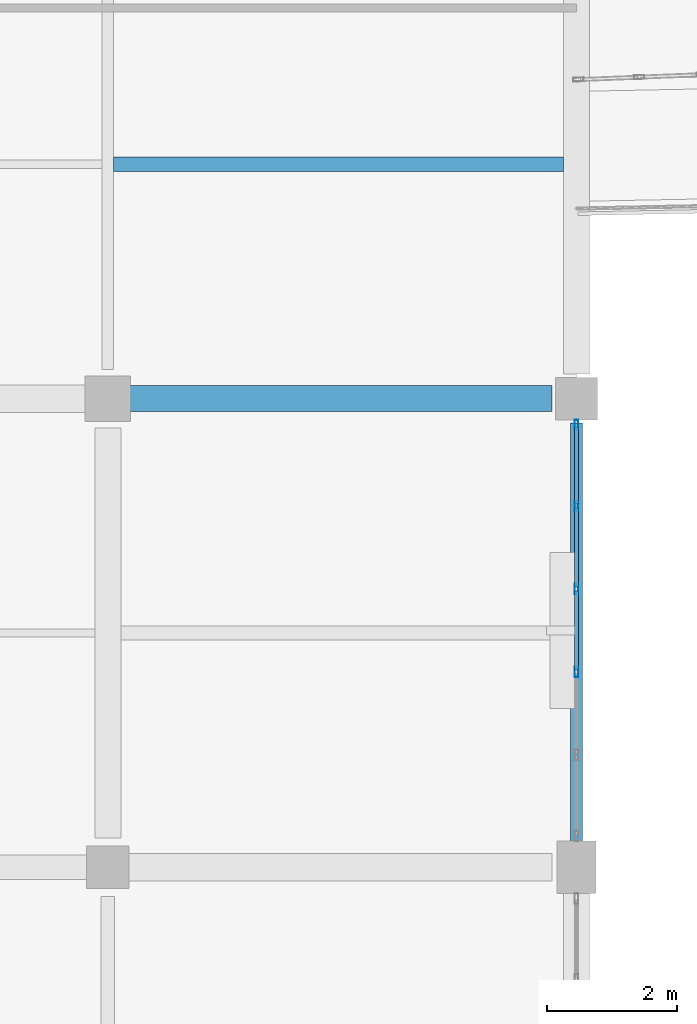
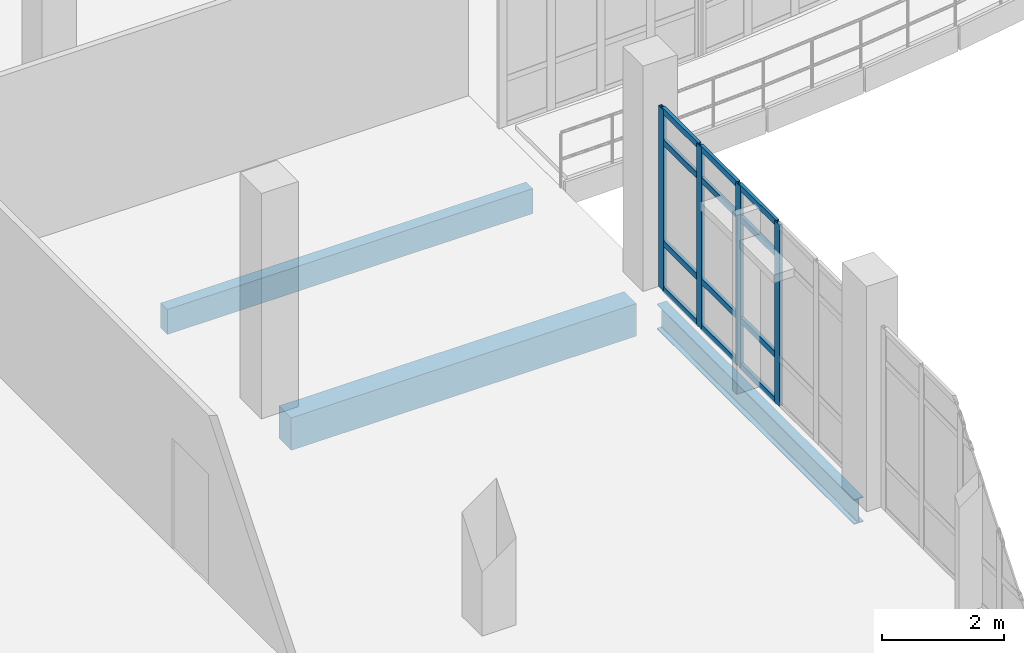
# One storey, part 29 of 124: 16 members, 3 beams, 1 element without a shape of its own.
"""IFC4 building model written with IfcOpenShell, lengths in metres."""

import ifcopenshell
import ifcopenshell.guid

model = None  # the IFC model being written
_history = None  # IfcOwnerHistory: only IFC2X3 demands one
_inside = {}  # id of a spatial element -> (the spatial element, [elements in it])
_under = {}  # id of a project, library or spatial element -> (it, [spatial elements below it])
_declared = {}  # id of a project -> (the project, [libraries it declares])
_typed = {}  # id of a type object -> (the type object, [elements of that type])
_made_of = {}  # id of a material, layer set ... -> (it, [elements and type objects made of it])


def new_model(schema):
    """Start an empty IFC model of exactly this schema.

    Asked for "IFC4X3", IfcOpenShell would pick the latest addendum, in which some entities
    have other attributes; the version numbers below select the first issue.
    IFC2X3 requires an IfcOwnerHistory on every rooted entity: one is made here for all.
    """
    global model, _history
    if schema == "IFC4X3":
        model = ifcopenshell.file(schema_version=(4, 3, 0, 0))
    else:
        model = ifcopenshell.file(schema=schema)
    _inside.clear()
    _under.clear()
    _declared.clear()
    _typed.clear()
    _made_of.clear()
    _history = None
    if model.schema == "IFC2X3":
        org = make("IfcOrganization", Name="unknown")
        user = make(
            "IfcPersonAndOrganization",
            ThePerson=make("IfcPerson", FamilyName="unknown"),
            TheOrganization=org,
        )
        app = make(
            "IfcApplication",
            ApplicationDeveloper=org,
            Version="unknown",
            ApplicationFullName="unknown",
            ApplicationIdentifier="unknown",
        )
        _history = make(
            "IfcOwnerHistory",
            OwningUser=user,
            OwningApplication=app,
            ChangeAction="ADDED",
            CreationDate=0,
        )
    return model


def make(cls, **values):
    """One entity of the class cls with the attributes given. An attribute that is None is left unset."""
    return model.create_entity(
        cls, **{name: value for name, value in values.items() if value is not None}
    )


def rooted(cls, **values):
    """An entity with a GlobalId (a new one), such as an element, a storey or a relation."""
    return make(cls, GlobalId=ifcopenshell.guid.new(), OwnerHistory=_history, **values)


def si_unit(unit_type, name, prefix=None):
    """IfcSIUnit, for example si_unit("LENGTHUNIT", "METRE", prefix="MILLI")."""
    return make("IfcSIUnit", UnitType=unit_type, Prefix=prefix, Name=name)


def assignment(units):
    """IfcUnitAssignment: the units of a project."""
    return None if units is None else make("IfcUnitAssignment", Units=units)


def point(xyz):
    """IfcCartesianPoint."""
    return None if xyz is None else make("IfcCartesianPoint", Coordinates=xyz)


def direction(xyz):
    """IfcDirection."""
    return None if xyz is None else make("IfcDirection", DirectionRatios=xyz)


def frame(location, z_axis=None, x_axis=None):
    """IfcAxis2Placement3D, a coordinate frame: its origin and axes. An axis left out is left unset."""
    return make(
        "IfcAxis2Placement3D",
        Location=point(location),
        Axis=direction(z_axis),
        RefDirection=direction(x_axis),
    )


def frame_2d(location, x_axis=None):
    """IfcAxis2Placement2D, a coordinate frame in the plane: its origin and x axis."""
    return make(
        "IfcAxis2Placement2D", Location=point(location), RefDirection=direction(x_axis)
    )


def origin():
    """The frame at (0, 0, 0) with its axes left unset."""
    return frame((0.0, 0.0, 0.0))


def origin_2d():
    """The frame at (0, 0) in the plane with its x axis left unset."""
    return frame_2d((0.0, 0.0))


def place(relative_to, where):
    """IfcLocalPlacement: puts the frame where relative to a parent placement (None: the world)."""
    return make(
        "IfcLocalPlacement", PlacementRelTo=relative_to, RelativePlacement=where
    )


def context(
    kind, dimensions, precision=None, world=None, true_north=None, identifier=None
):
    """IfcGeometricRepresentationContext, for example the 3D "Model" context."""
    return make(
        "IfcGeometricRepresentationContext",
        ContextIdentifier=identifier,
        ContextType=kind,
        CoordinateSpaceDimension=dimensions,
        Precision=precision,
        WorldCoordinateSystem=world,
        TrueNorth=true_north,
    )


def subcontext(parent, identifier, kind, view, scale=None):
    """IfcGeometricRepresentationSubContext, for example "Body" below "Model"."""
    return make(
        "IfcGeometricRepresentationSubContext",
        ContextIdentifier=identifier,
        ContextType=kind,
        ParentContext=parent,
        TargetScale=scale,
        TargetView=view,
    )


def project(units=None, contexts=None):
    """IfcProject with its units and contexts."""
    return rooted(
        "IfcProject",
        Name="project",
        RepresentationContexts=contexts,
        UnitsInContext=assignment(units),
    )


def spatial(cls, under=None, at=None, **own):
    """A site, building, storey or space (cls), placed at a placement, below another one or the project."""
    s = rooted(cls, ObjectPlacement=at, **own)
    if under is not None:
        _under.setdefault(under.id(), (under, []))[1].append(s)
    return s


def profile(cls, at=None, kind="AREA", **sizes):
    """A parametric profile (cls). Its sizes go by their IFC names, for example OverallWidth=200.0."""
    return make(cls, ProfileType=kind, Position=at, **sizes)


def rectangle(**sizes):
    """IfcRectangleProfileDef."""
    return profile("IfcRectangleProfileDef", **sizes)


def hollow_rectangle(**sizes):
    """IfcRectangleHollowProfileDef."""
    return profile("IfcRectangleHollowProfileDef", **sizes)


def i_section(**sizes):
    """IfcIShapeProfileDef."""
    return profile("IfcIShapeProfileDef", **sizes)


def extrude(swept, where, along, depth):
    """IfcExtrudedAreaSolid: the profile swept, set in the frame where, extruded along a direction by depth."""
    return make(
        "IfcExtrudedAreaSolid",
        SweptArea=swept,
        Position=where,
        ExtrudedDirection=direction(along),
        Depth=depth,
    )


def shape(context_of_items, identifier, shape_type, items):
    """IfcShapeRepresentation: the items that make up one representation, for example the "Body"."""
    return make(
        "IfcShapeRepresentation",
        ContextOfItems=context_of_items,
        RepresentationIdentifier=identifier,
        RepresentationType=shape_type,
        Items=items,
    )


def material(Name=None, Category=None):
    """IfcMaterial."""
    return make("IfcMaterial", Name=Name, Category=Category)


def material_profile(
    of_material, cross_section, Name=None, Category=None, Priority=None
):
    """IfcMaterialProfile: a cross section and its material."""
    return make(
        "IfcMaterialProfile",
        Name=Name,
        Material=of_material,
        Profile=cross_section,
        Priority=Priority,
        Category=Category,
    )


def profile_set(profiles, Name=None, composite=None):
    """IfcMaterialProfileSet."""
    return make(
        "IfcMaterialProfileSet",
        Name=Name,
        MaterialProfiles=profiles,
        CompositeProfile=composite,
    )


def made_of(thing, what):
    """Note that an element or type object is made of a material, layer set ...; save() writes the relation."""
    if what is not None:
        _made_of.setdefault(what.id(), (what, []))[1].append(thing)
    return thing


def type_object(cls, material=None, **own):
    """A type object (cls), such as IfcWallType, which elements share."""
    return made_of(rooted(cls, **own), material)


def element(
    cls,
    number,
    at=None,
    inside=None,
    cuts=None,
    type_object=None,
    material=None,
    context=None,
    identifier="Body",
    shape_type=None,
    held_by="IfcProductDefinitionShape",
    body=None,
    shapes=None,
    **own,
):
    """One element of the class cls, such as IfcWall. Its Tag is "e" and its number.

    at: its placement. inside: the storey or other place that contains it. cuts: it is an
    opening in that element (IfcRelVoidsElement). A single representation is given by context,
    identifier, shape_type and body (its items); several are given by shapes. held_by: the class
    of the entity that holds the representations. save() writes the other relations.
    """
    e = rooted(cls, Tag="e%d" % number, ObjectPlacement=at, **own)
    if body is not None:
        shapes = [shape(context, identifier, shape_type, body)]
    if shapes is not None:
        e.Representation = make(held_by, Representations=shapes)
    if inside is not None:
        _inside.setdefault(inside.id(), (inside, []))[1].append(e)
    if cuts is not None:
        rooted(
            "IfcRelVoidsElement", RelatingBuildingElement=cuts, RelatedOpeningElement=e
        )
    if type_object is not None:
        _typed.setdefault(type_object.id(), (type_object, []))[1].append(e)
    return made_of(e, material)


def aggregate(whole, parts):
    """IfcRelAggregates: a whole, such as a stair, and the parts it consists of."""
    return rooted("IfcRelAggregates", RelatingObject=whole, RelatedObjects=parts)


def save(model, path):
    """Write the relations noted so far, then the file.

    IfcRelAggregates (storeys below a building ...), IfcRelContainedInSpatialStructure (elements
    in a storey), IfcRelDefinesByType, IfcRelAssociatesMaterial and IfcRelDeclares: one each for
    every whole, place, type object, material and project.
    """
    for whole, parts in _under.values():
        aggregate(whole, parts)
    for where, things in _inside.values():
        rooted(
            "IfcRelContainedInSpatialStructure",
            RelatedElements=things,
            RelatingStructure=where,
        )
    for kind, things in _typed.values():
        rooted("IfcRelDefinesByType", RelatedObjects=things, RelatingType=kind)
    for what, things in _made_of.values():
        rooted("IfcRelAssociatesMaterial", RelatedObjects=things, RelatingMaterial=what)
    for by, libraries in _declared.values():
        rooted("IfcRelDeclares", RelatingContext=by, RelatedDefinitions=libraries)
    model.write(path)


model = new_model("IFC4")

# Units and contexts
model_context = context("Model", 3, precision=1e-05, world=origin(), true_north=direction((0.0, 1.0)))
body_context = subcontext(model_context, "Body", "Model", "MODEL_VIEW")
ifc_project = project(units=[si_unit("LENGTHUNIT", "METRE"), si_unit("AREAUNIT", "SQUARE_METRE"), si_unit("VOLUMEUNIT", "CUBIC_METRE"), si_unit("PLANEANGLEUNIT", "RADIAN"), si_unit("MASSUNIT", "GRAM", prefix="KILO")], contexts=[model_context])

# Site, building, storey
site_placement = place(None, origin())
site = spatial("IfcSite", under=ifc_project, at=site_placement, CompositionType="ELEMENT")
building_placement = place(site_placement, origin())
building = spatial("IfcBuilding", under=site, at=building_placement, Name="Kalluvel Institute of Natural Sciences", CompositionType="ELEMENT")
storey_placement = place(building_placement, frame((0.0, 0.0, 9.89990234375)))
storey = spatial("IfcBuildingStorey", under=building, at=storey_placement, Name="L02", CompositionType="ELEMENT", Elevation=9.89990234375)

# Beams
ifc_material_1 = material(Name="Steel E350 Grade 350", Category="steel")
ifc_material_profile_1 = material_profile(ifc_material_1, i_section(OverallWidth=0.179931640625, OverallDepth=0.5, WebThickness=0.01025390625, FlangeThickness=0.01708984375, FilletRadius=0.01708984375, at=origin_2d()), Name="ISMB 500")
ifc_profile_set_1 = profile_set([ifc_material_profile_1], Name="Steel E350 Grade 350")
beam_type_1 = type_object("IfcBeamType", Name="BM-ISMB500", PredefinedType="BEAM", material=ifc_profile_set_1)
beam_1_placement = place(storey_placement, frame((35.60009765625, 43.175048828125, -0.5498046875), z_axis=(0.0, 1.0, 0.0), x_axis=(-1.0, 0.0, 0.0)))
element("IfcBeam", 1, at=beam_1_placement, inside=storey, type_object=beam_type_1, Name="L02 girder GIR-L02-NS-X356-Y428", PredefinedType="BEAM", context=body_context, shape_type="SweptSolid", body=[
    extrude(i_section(OverallWidth=0.179931640625, OverallDepth=0.5, WebThickness=0.01025390625, FlangeThickness=0.01708984375, FilletRadius=0.01708984375, at=origin_2d()), origin(), (0.0, 0.0, 1.0), 6.449951171875),
])
ifc_material_2 = material(Name="Concrete M40", Category="concrete")
ifc_material_profile_2 = material_profile(ifc_material_2, rectangle(XDim=0.39990234375, YDim=0.64990234375, at=origin_2d()), Name="RCB 400x650")
ifc_profile_set_2 = profile_set([ifc_material_profile_2], Name="Concrete M40")
beam_type_2 = type_object("IfcBeamType", Name="BM-RC400x650", PredefinedType="BEAM", material=ifc_profile_set_2)
beam_2_placement = place(storey_placement, frame((28.699951171875, 50.0, -0.625), z_axis=(1.0, 0.0, 0.0), x_axis=(0.0, 1.0, 0.0)))
element("IfcBeam", 2, at=beam_2_placement, inside=storey, type_object=beam_type_2, Name="L02 girder GIR-L02-EW-X284-Y500", PredefinedType="BEAM", context=body_context, shape_type="SweptSolid", body=[
    extrude(rectangle(XDim=0.39990234375, YDim=0.64990234375, at=origin_2d()), origin(), (0.0, 0.0, 1.0), 6.525146484375),
])

# Curtain wall, members
ifc_material_3 = material(Name="Aluminium AW-6063 T6", Category="aluminium")
curtain_wall_type = type_object("IfcCurtainWallType", Name="CW-DRY-45", PredefinedType="USERDEFINED", material=ifc_material_3)
curtain_wall_placement = place(storey_placement, origin())
curtain_wall = element("IfcCurtainWall", 3, at=curtain_wall_placement, inside=storey, type_object=curtain_wall_type, Name="L02 Gothic lancet curtain wall CWA-L02-X356-Y432", ObjectType="UNITISED LANCET FACADE", PredefinedType="USERDEFINED")
ifc_material_profile_3 = material_profile(ifc_material_3, hollow_rectangle(XDim=0.06005859375, YDim=0.159912109375, WallThickness=0.00390625, at=origin_2d()), Name="CWM 60x160")
ifc_profile_set_3 = profile_set([ifc_material_profile_3], Name="Aluminium AW-6063 T6")
member_type_1 = type_object("IfcMemberType", Name="CWM-60x160", PredefinedType="MULLION", material=ifc_profile_set_3)
member_1_placement = place(storey_placement, frame((35.60009765625, 45.800048828125, 0.0), z_axis=(0.0, 0.0, 1.0), x_axis=(-1.0, 0.0, 0.0)))
member_1 = element("IfcMember", 4, at=member_1_placement, type_object=member_type_1, Name="CW-03 mullion 3", PredefinedType="MULLION", context=body_context, shape_type="SweptSolid", body=[
    extrude(hollow_rectangle(XDim=0.06005859375, YDim=0.159912109375, WallThickness=0.00390625, at=origin_2d()), origin(), (0.0, 0.0, 1.0), 3.6201171875),
])
member_2_placement = place(storey_placement, frame((35.60009765625, 47.074951171875, 0.0), z_axis=(0.0, 0.0, 1.0), x_axis=(-1.0, 0.0, 0.0)))
member_2 = element("IfcMember", 5, at=member_2_placement, type_object=member_type_1, Name="CW-03 mullion 4", PredefinedType="MULLION", context=body_context, shape_type="SweptSolid", body=[
    extrude(hollow_rectangle(XDim=0.06005859375, YDim=0.159912109375, WallThickness=0.00390625, at=origin_2d()), origin(), (0.0, 0.0, 1.0), 3.6201171875),
])
member_3_placement = place(storey_placement, frame((35.60009765625, 48.35009765625, 0.0), z_axis=(0.0, 0.0, 1.0), x_axis=(-1.0, 0.0, 0.0)))
member_3 = element("IfcMember", 6, at=member_3_placement, type_object=member_type_1, Name="CW-03 mullion 5", PredefinedType="MULLION", context=body_context, shape_type="SweptSolid", body=[
    extrude(hollow_rectangle(XDim=0.06005859375, YDim=0.159912109375, WallThickness=0.00390625, at=origin_2d()), origin(), (0.0, 0.0, 1.0), 3.6201171875),
])
member_4_placement = place(storey_placement, frame((35.60009765625, 49.594970703125, 0.0), z_axis=(0.0, 0.0, 1.0), x_axis=(-1.0, 0.0, 0.0)))
member_4 = element("IfcMember", 7, at=member_4_placement, type_object=member_type_1, Name="CW-03 mullion 6", PredefinedType="MULLION", context=body_context, shape_type="SweptSolid", body=[
    extrude(hollow_rectangle(XDim=0.06005859375, YDim=0.159912109375, WallThickness=0.00390625, at=origin_2d()), origin(), (0.0, 0.0, 1.0), 3.6201171875),
])
ifc_material_profile_4 = material_profile(ifc_material_3, hollow_rectangle(XDim=0.06005859375, YDim=0.1201171875, WallThickness=0.00390625, at=origin_2d()), Name="CWT 60x120")
ifc_profile_set_4 = profile_set([ifc_material_profile_4], Name="Aluminium AW-6063 T6")
member_type_2 = type_object("IfcMemberType", Name="CWT-60x120", PredefinedType="USERDEFINED", material=ifc_profile_set_4)
member_5_placement = place(storey_placement, frame((35.60009765625, 45.830078125, 0.030029296875), z_axis=(0.0, 1.0, 0.0), x_axis=(-1.0, 0.0, 0.0)))
member_5 = element("IfcMember", 8, at=member_5_placement, type_object=member_type_2, Name="CW-03 transom 3.1", ObjectType="TRANSOM", PredefinedType="USERDEFINED", context=body_context, shape_type="SweptSolid", body=[
    extrude(hollow_rectangle(XDim=0.06005859375, YDim=0.1201171875, WallThickness=0.00390625, at=origin_2d()), origin(), (0.0, 0.0, 1.0), 1.21484375),
])
member_6_placement = place(storey_placement, frame((35.60009765625, 45.830078125, 0.9501953125), z_axis=(0.0, 1.0, 0.0), x_axis=(-1.0, 0.0, 0.0)))
member_6 = element("IfcMember", 9, at=member_6_placement, type_object=member_type_2, Name="CW-03 transom 3.2", ObjectType="TRANSOM", PredefinedType="USERDEFINED", context=body_context, shape_type="SweptSolid", body=[
    extrude(hollow_rectangle(XDim=0.06005859375, YDim=0.1201171875, WallThickness=0.00390625, at=origin_2d()), origin(), (0.0, 0.0, 1.0), 1.21484375),
])
member_7_placement = place(storey_placement, frame((35.60009765625, 45.830078125, 2.97021484375), z_axis=(0.0, 1.0, 0.0), x_axis=(-1.0, 0.0, 0.0)))
member_7 = element("IfcMember", 10, at=member_7_placement, type_object=member_type_2, Name="CW-03 transom 3.3", ObjectType="TRANSOM", PredefinedType="USERDEFINED", context=body_context, shape_type="SweptSolid", body=[
    extrude(hollow_rectangle(XDim=0.06005859375, YDim=0.1201171875, WallThickness=0.00390625, at=origin_2d()), origin(), (0.0, 0.0, 1.0), 1.21484375),
])
member_8_placement = place(storey_placement, frame((35.60009765625, 45.830078125, 3.590087890625), z_axis=(0.0, 1.0, 0.0), x_axis=(-1.0, 0.0, 0.0)))
member_8 = element("IfcMember", 11, at=member_8_placement, type_object=member_type_2, Name="CW-03 transom 3.4", ObjectType="TRANSOM", PredefinedType="USERDEFINED", context=body_context, shape_type="SweptSolid", body=[
    extrude(hollow_rectangle(XDim=0.06005859375, YDim=0.1201171875, WallThickness=0.00390625, at=origin_2d()), origin(), (0.0, 0.0, 1.0), 1.21484375),
])
member_9_placement = place(storey_placement, frame((35.60009765625, 47.10498046875, 0.030029296875), z_axis=(0.0, 1.0, 0.0), x_axis=(-1.0, 0.0, 0.0)))
member_9 = element("IfcMember", 12, at=member_9_placement, type_object=member_type_2, Name="CW-03 transom 4.1", ObjectType="TRANSOM", PredefinedType="USERDEFINED", context=body_context, shape_type="SweptSolid", body=[
    extrude(hollow_rectangle(XDim=0.06005859375, YDim=0.1201171875, WallThickness=0.00390625, at=origin_2d()), origin(), (0.0, 0.0, 1.0), 1.215087890625),
])
member_10_placement = place(storey_placement, frame((35.60009765625, 47.10498046875, 0.9501953125), z_axis=(0.0, 1.0, 0.0), x_axis=(-1.0, 0.0, 0.0)))
member_10 = element("IfcMember", 13, at=member_10_placement, type_object=member_type_2, Name="CW-03 transom 4.2", ObjectType="TRANSOM", PredefinedType="USERDEFINED", context=body_context, shape_type="SweptSolid", body=[
    extrude(hollow_rectangle(XDim=0.06005859375, YDim=0.1201171875, WallThickness=0.00390625, at=origin_2d()), origin(), (0.0, 0.0, 1.0), 1.215087890625),
])
member_11_placement = place(storey_placement, frame((35.60009765625, 47.10498046875, 2.97021484375), z_axis=(0.0, 1.0, 0.0), x_axis=(-1.0, 0.0, 0.0)))
member_11 = element("IfcMember", 14, at=member_11_placement, type_object=member_type_2, Name="CW-03 transom 4.3", ObjectType="TRANSOM", PredefinedType="USERDEFINED", context=body_context, shape_type="SweptSolid", body=[
    extrude(hollow_rectangle(XDim=0.06005859375, YDim=0.1201171875, WallThickness=0.00390625, at=origin_2d()), origin(), (0.0, 0.0, 1.0), 1.215087890625),
])
member_12_placement = place(storey_placement, frame((35.60009765625, 47.10498046875, 3.590087890625), z_axis=(0.0, 1.0, 0.0), x_axis=(-1.0, 0.0, 0.0)))
member_12 = element("IfcMember", 15, at=member_12_placement, type_object=member_type_2, Name="CW-03 transom 4.4", ObjectType="TRANSOM", PredefinedType="USERDEFINED", context=body_context, shape_type="SweptSolid", body=[
    extrude(hollow_rectangle(XDim=0.06005859375, YDim=0.1201171875, WallThickness=0.00390625, at=origin_2d()), origin(), (0.0, 0.0, 1.0), 1.215087890625),
])
member_13_placement = place(storey_placement, frame((35.60009765625, 48.3798828125, 0.030029296875), z_axis=(0.0, 1.0, 0.0), x_axis=(-1.0, 0.0, 0.0)))
member_13 = element("IfcMember", 16, at=member_13_placement, type_object=member_type_2, Name="CW-03 transom 5.1", ObjectType="TRANSOM", PredefinedType="USERDEFINED", context=body_context, shape_type="SweptSolid", body=[
    extrude(hollow_rectangle(XDim=0.06005859375, YDim=0.1201171875, WallThickness=0.00390625, at=origin_2d()), origin(), (0.0, 0.0, 1.0), 1.18505859375),
])
member_14_placement = place(storey_placement, frame((35.60009765625, 48.3798828125, 0.9501953125), z_axis=(0.0, 1.0, 0.0), x_axis=(-1.0, 0.0, 0.0)))
member_14 = element("IfcMember", 17, at=member_14_placement, type_object=member_type_2, Name="CW-03 transom 5.2", ObjectType="TRANSOM", PredefinedType="USERDEFINED", context=body_context, shape_type="SweptSolid", body=[
    extrude(hollow_rectangle(XDim=0.06005859375, YDim=0.1201171875, WallThickness=0.00390625, at=origin_2d()), origin(), (0.0, 0.0, 1.0), 1.18505859375),
])
member_15_placement = place(storey_placement, frame((35.60009765625, 48.3798828125, 2.97021484375), z_axis=(0.0, 1.0, 0.0), x_axis=(-1.0, 0.0, 0.0)))
member_15 = element("IfcMember", 18, at=member_15_placement, type_object=member_type_2, Name="CW-03 transom 5.3", ObjectType="TRANSOM", PredefinedType="USERDEFINED", context=body_context, shape_type="SweptSolid", body=[
    extrude(hollow_rectangle(XDim=0.06005859375, YDim=0.1201171875, WallThickness=0.00390625, at=origin_2d()), origin(), (0.0, 0.0, 1.0), 1.18505859375),
])
member_16_placement = place(storey_placement, frame((35.60009765625, 48.3798828125, 3.590087890625), z_axis=(0.0, 1.0, 0.0), x_axis=(-1.0, 0.0, 0.0)))
member_16 = element("IfcMember", 19, at=member_16_placement, type_object=member_type_2, Name="CW-03 transom 5.4", ObjectType="TRANSOM", PredefinedType="USERDEFINED", context=body_context, shape_type="SweptSolid", body=[
    extrude(hollow_rectangle(XDim=0.06005859375, YDim=0.1201171875, WallThickness=0.00390625, at=origin_2d()), origin(), (0.0, 0.0, 1.0), 1.18505859375),
])
aggregate(curtain_wall, [member_1, member_2, member_3, member_4, member_5, member_6, member_7, member_8, member_9, member_10, member_11, member_12, member_13, member_14, member_15, member_16])

# Beam
ifc_material_profile_5 = material_profile(ifc_material_2, rectangle(XDim=0.219970703125, YDim=0.5, at=origin_2d()), Name="WAF 220x500")
ifc_profile_set_5 = profile_set([ifc_material_profile_5], Name="Concrete M40")
beam_type_3 = type_object("IfcBeamType", Name="WJ-220x500", PredefinedType="JOIST", material=ifc_profile_set_5)
beam_3_placement = place(storey_placement, frame((28.489990234375, 53.60009765625, -0.5498046875), z_axis=(1.0, 0.0, 0.0), x_axis=(0.0, 1.0, 0.0)))
element("IfcBeam", 20, at=beam_3_placement, inside=storey, type_object=beam_type_3, Name="L02 floor rib RIB-L02-0667", PredefinedType="JOIST", context=body_context, shape_type="SweptSolid", body=[
    extrude(rectangle(XDim=0.219970703125, YDim=0.5, at=origin_2d()), origin(), (0.0, 0.0, 1.0), 6.909912109375),
])

save(model, "model.ifc")
